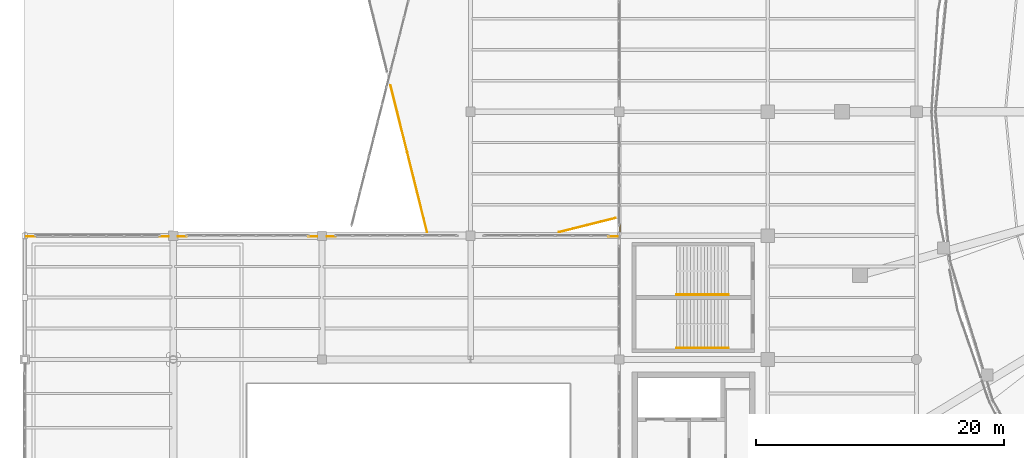
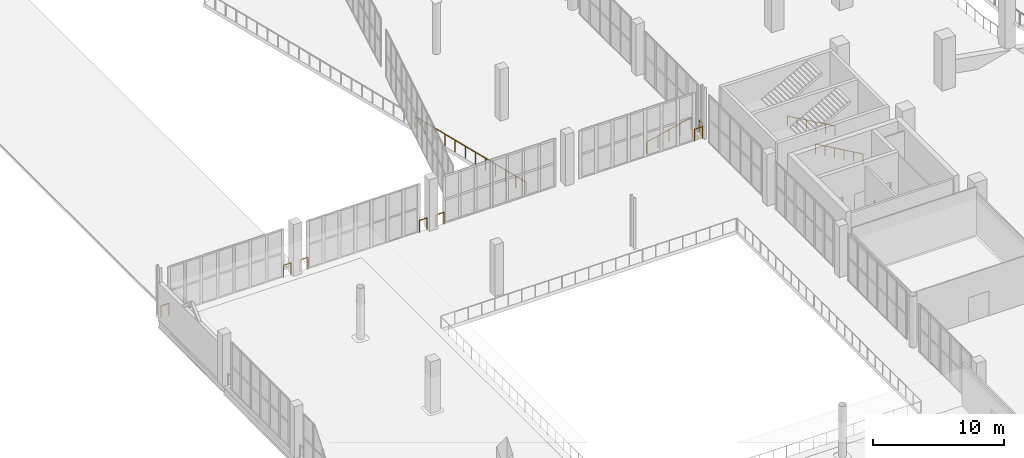
# One storey, part 123 of 136: 11 railings.
"""IFC4 building model written with IfcOpenShell, lengths in metres."""

from ifc_helpers import new_model, si_unit, direction, frame, origin, origin_2d, place, context, subcontext, project, spatial, circle, extrude, material, type_object, element, save


model = new_model("IFC4")

# Units and contexts
model_context = context("Model", 3, precision=1e-05, world=origin(), true_north=direction((0.0, 1.0)))
body_context = subcontext(model_context, "Body", "Model", "MODEL_VIEW")
ifc_project = project(units=[si_unit("LENGTHUNIT", "METRE"), si_unit("AREAUNIT", "SQUARE_METRE"), si_unit("VOLUMEUNIT", "CUBIC_METRE"), si_unit("PLANEANGLEUNIT", "RADIAN"), si_unit("MASSUNIT", "GRAM", prefix="KILO")], contexts=[model_context])

# Site, building, storey
site_placement = place(None, origin())
site = spatial("IfcSite", under=ifc_project, at=site_placement, CompositionType="ELEMENT")
building_placement = place(site_placement, origin())
building = spatial("IfcBuilding", under=site, at=building_placement, Name="Brinegate Civic Arena", CompositionType="ELEMENT")
storey_placement = place(building_placement, frame((0.0, 0.0, 5.39990234375)))
storey = spatial("IfcBuildingStorey", under=building, at=storey_placement, Name="L01", CompositionType="ELEMENT", Elevation=5.39990234375)

# Railings
ifc_material = material(Name="Architectural stainless steel balustrade", Category="steel")
railing_type_1 = type_object("IfcRailingType", Name="RAIL-STAIR-HANDRAIL-900", PredefinedType="HANDRAIL", material=ifc_material)
for number, where, name in (
    (1, (52.6298828125, 42.925048828125, 2.400146484375), "Stair Pitch Handrail ST-08A L01"),
    (2, (52.6298828125, 47.22509765625, 2.400146484375), "Stair Pitch Handrail ST-08B L01"),
):
    element("IfcRailing", number, at=place(storey_placement, frame(where)), inside=storey, type_object=railing_type_1, Name=name, PredefinedType="HANDRAIL", context=body_context, shape_type="SweptSolid", body=[
        extrude(circle(Radius=0.02392578125, at=origin_2d()), frame((0.001220703125, 0.0, 0.875), z_axis=(0.868240036425, 0.0, -0.496144373291), x_axis=(0.0, 1.0, 0.0)), (0.0, 0.0, 1.0), 4.834716796875),
        extrude(circle(Radius=0.02099609375, at=origin_2d()), origin(), (0.0, 0.0, 1.0), 0.849853515625),
        extrude(circle(Radius=0.02099609375, at=origin_2d()), frame((0.840087890625, 0.0, -0.47998046875)), (0.0, 0.0, 1.0), 0.849853515625),
        extrude(circle(Radius=0.02099609375, at=origin_2d()), frame((1.68017578125, 0.0, -0.9599609375)), (0.0, 0.0, 1.0), 0.849853515625),
        extrude(circle(Radius=0.02099609375, at=origin_2d()), frame((2.52001953125, 0.0, -1.440185546875)), (0.0, 0.0, 1.0), 0.849853515625),
        extrude(circle(Radius=0.02099609375, at=origin_2d()), frame((3.360107421875, 0.0, -1.920166015625)), (0.0, 0.0, 1.0), 0.849853515625),
        extrude(circle(Radius=0.02099609375, at=origin_2d()), frame((4.2001953125, 0.0, -2.400146484375)), (0.0, 0.0, 1.0), 0.849853515625),
    ])
railing_type_2 = type_object("IfcRailingType", Name="RAIL-VOID-BALUSTRADE-1120", PredefinedType="BALUSTRADE", material=ifc_material)
railing_1_placement = place(storey_placement, frame((0.1259765625, 51.929931640625, 0.0)))
element("IfcRailing", 3, at=railing_1_placement, inside=storey, type_object=railing_type_2, Name="Deck Edge Balustrade L01-001", PredefinedType="BALUSTRADE", context=body_context, shape_type="SweptSolid", body=[
    extrude(circle(Radius=0.02392578125, at=origin_2d()), frame((0.00146484375, 0.0, 1.09619140625), z_axis=(1.0, 0.0, 0.0), x_axis=(0.0, 1.0, 0.0)), (0.0, 0.0, 1.0), 0.713134765625),
    extrude(circle(Radius=0.02099609375, at=origin_2d()), origin(), (0.0, 0.0, 1.0), 1.070068359375),
    extrude(circle(Radius=0.02099609375, at=origin_2d()), frame((0.716064453125, 0.0, 0.0)), (0.0, 0.0, 1.0), 1.070068359375),
])
for number, where, name in (
    (4, (10.919921875, 51.929931640625, 0.0), "Deck Edge Balustrade L01-002"),
    (5, (12.39501953125, 51.929931640625, 0.0), "Deck Edge Balustrade L01-003"),
    (6, (22.919921875, 51.929931640625, 0.0), "Deck Edge Balustrade L01-004"),
    (7, (24.39501953125, 51.929931640625, 0.0), "Deck Edge Balustrade L01-005"),
):
    element("IfcRailing", number, at=place(storey_placement, frame(where)), inside=storey, type_object=railing_type_2, Name=name, PredefinedType="BALUSTRADE", context=body_context, shape_type="SweptSolid", body=[
        extrude(circle(Radius=0.02392578125, at=origin_2d()), frame((0.00146484375, 0.0, 1.09619140625), z_axis=(1.0, 0.0, 0.0), x_axis=(0.0, 1.0, 0.0)), (0.0, 0.0, 1.0), 0.68212890625),
        extrude(circle(Radius=0.02099609375, at=origin_2d()), origin(), (0.0, 0.0, 1.0), 1.070068359375),
        extrude(circle(Radius=0.02099609375, at=origin_2d()), frame((0.68505859375, 0.0, 0.0)), (0.0, 0.0, 1.0), 1.070068359375),
    ])
railing_2_placement = place(storey_placement, frame((32.4990234375, 52.280029296875, 0.0)))
element("IfcRailing", 8, at=railing_2_placement, inside=storey, type_object=railing_type_2, Name="Deck Edge Balustrade L01-006", PredefinedType="BALUSTRADE", context=body_context, shape_type="SweptSolid", body=[
    extrude(circle(Radius=0.02392578125, at=origin_2d()), frame((-0.000244140625, 0.00146484375, 1.09619140625), z_axis=(-0.241857365275, 0.970311813214, 0.0), x_axis=(-0.970311813214, -0.241857365275, 0.0)), (0.0, 0.0, 1.0), 12.194091796875),
    extrude(circle(Radius=0.02099609375, at=origin_2d()), origin(), (0.0, 0.0, 1.0), 1.070068359375),
    extrude(circle(Radius=0.02099609375, at=origin_2d()), frame((-0.26806640625, 1.075927734375, 0.0)), (0.0, 0.0, 1.0), 1.070068359375),
    extrude(circle(Radius=0.02099609375, at=origin_2d()), frame((-0.536376953125, 2.15185546875, 0.0)), (0.0, 0.0, 1.0), 1.070068359375),
    extrude(circle(Radius=0.02099609375, at=origin_2d()), frame((-0.804443359375, 3.227783203125, 0.0)), (0.0, 0.0, 1.0), 1.070068359375),
    extrude(circle(Radius=0.02099609375, at=origin_2d()), frame((-1.07275390625, 4.3037109375, 0.0)), (0.0, 0.0, 1.0), 1.070068359375),
    extrude(circle(Radius=0.02099609375, at=origin_2d()), frame((-1.3408203125, 5.379638671875, 0.0)), (0.0, 0.0, 1.0), 1.070068359375),
    extrude(circle(Radius=0.02099609375, at=origin_2d()), frame((-1.609130859375, 6.455322265625, 0.0)), (0.0, 0.0, 1.0), 1.070068359375),
    extrude(circle(Radius=0.02099609375, at=origin_2d()), frame((-1.877197265625, 7.53125, 0.0)), (0.0, 0.0, 1.0), 1.070068359375),
    extrude(circle(Radius=0.02099609375, at=origin_2d()), frame((-2.1455078125, 8.607177734375, 0.0)), (0.0, 0.0, 1.0), 1.070068359375),
    extrude(circle(Radius=0.02099609375, at=origin_2d()), frame((-2.41357421875, 9.68310546875, 0.0)), (0.0, 0.0, 1.0), 1.070068359375),
    extrude(circle(Radius=0.02099609375, at=origin_2d()), frame((-2.681884765625, 10.759033203125, 0.0)), (0.0, 0.0, 1.0), 1.070068359375),
    extrude(circle(Radius=0.02099609375, at=origin_2d()), frame((-2.949951171875, 11.8349609375, 0.0)), (0.0, 0.0, 1.0), 1.070068359375),
])
railing_3_placement = place(storey_placement, frame((47.719970703125, 53.41796875, 0.0)))
element("IfcRailing", 9, at=railing_3_placement, inside=storey, type_object=railing_type_2, Name="Deck Edge Balustrade L01-109", PredefinedType="BALUSTRADE", context=body_context, shape_type="SweptSolid", body=[
    extrude(circle(Radius=0.02392578125, at=origin_2d()), frame((-0.00146484375, -0.000244140625, 1.09619140625), z_axis=(-0.970307114674, -0.241876214648, 0.0), x_axis=(0.241876214648, -0.970307114674, 0.0)), (0.0, 0.0, 1.0), 4.70166015625),
    extrude(circle(Radius=0.02099609375, at=origin_2d()), origin(), (0.0, 0.0, 1.0), 1.070068359375),
    extrude(circle(Radius=0.02099609375, at=origin_2d()), frame((-1.14111328125, -0.284423828125, 0.0)), (0.0, 0.0, 1.0), 1.070068359375),
    extrude(circle(Radius=0.02099609375, at=origin_2d()), frame((-2.282470703125, -0.56884765625, 0.0)), (0.0, 0.0, 1.0), 1.070068359375),
    extrude(circle(Radius=0.02099609375, at=origin_2d()), frame((-3.423828125, -0.853515625, 0.0)), (0.0, 0.0, 1.0), 1.070068359375),
    extrude(circle(Radius=0.02099609375, at=origin_2d()), frame((-4.56494140625, -1.137939453125, 0.0)), (0.0, 0.0, 1.0), 1.070068359375),
])
railing_4_placement = place(storey_placement, frame((47.157958984375, 51.929931640625, 0.0)))
element("IfcRailing", 10, at=railing_4_placement, inside=storey, type_object=railing_type_2, Name="Deck Edge Balustrade L01-110", PredefinedType="BALUSTRADE", context=body_context, shape_type="SweptSolid", body=[
    extrude(circle(Radius=0.02392578125, at=origin_2d()), frame((0.00146484375, 0.0, 1.09619140625), z_axis=(1.0, 0.0, 0.0), x_axis=(0.0, 1.0, 0.0)), (0.0, 0.0, 1.0), 0.713134765625),
    extrude(circle(Radius=0.02099609375, at=origin_2d()), origin(), (0.0, 0.0, 1.0), 1.070068359375),
    extrude(circle(Radius=0.02099609375, at=origin_2d()), frame((0.716064453125, 0.0, 0.0)), (0.0, 0.0, 1.0), 1.070068359375),
])
railing_5_placement = place(storey_placement, frame((48.070068359375, 52.2919921875, 0.0)))
element("IfcRailing", 11, at=railing_5_placement, inside=storey, type_object=railing_type_2, Name="Deck Edge Balustrade L01-111", PredefinedType="BALUSTRADE", context=body_context, shape_type="SweptSolid", body=[
    extrude(circle(Radius=0.02392578125, at=origin_2d()), frame((0.0, 0.00146484375, 1.09619140625), z_axis=(0.0, 1.0, 0.0), x_axis=(-1.0, 0.0, 0.0)), (0.0, 0.0, 1.0), 0.547119140625),
    extrude(circle(Radius=0.02099609375, at=origin_2d()), origin(), (0.0, 0.0, 1.0), 1.070068359375),
    extrude(circle(Radius=0.02099609375, at=origin_2d()), frame((0.0, 0.550048828125, 0.0)), (0.0, 0.0, 1.0), 1.070068359375),
])

save(model, "model.ifc")
